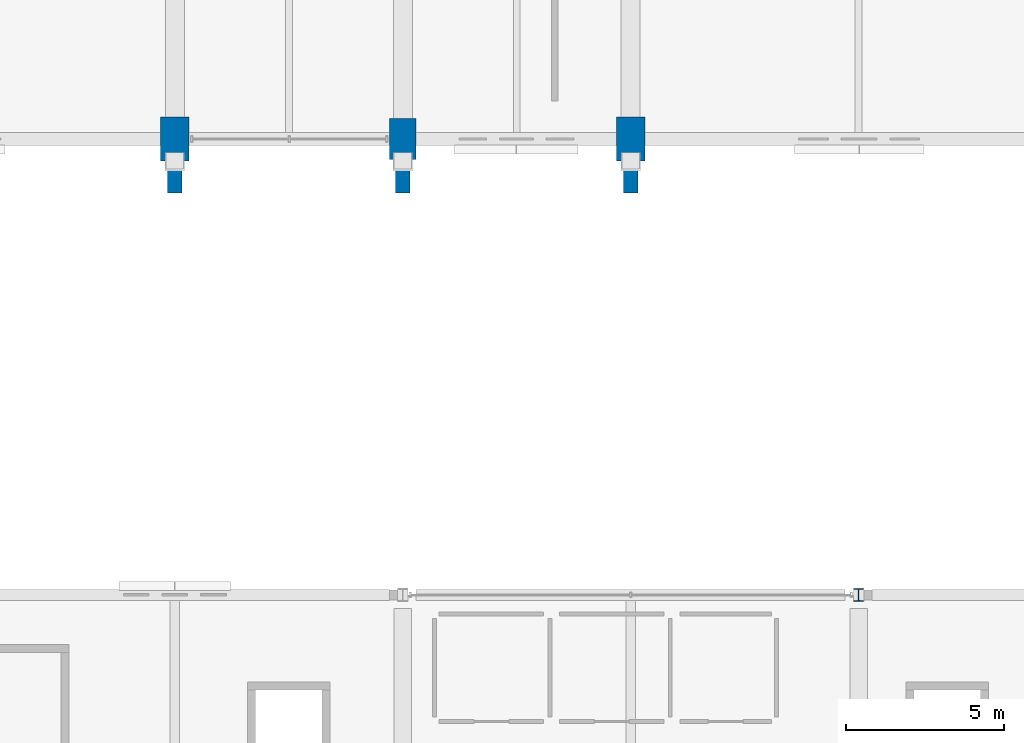
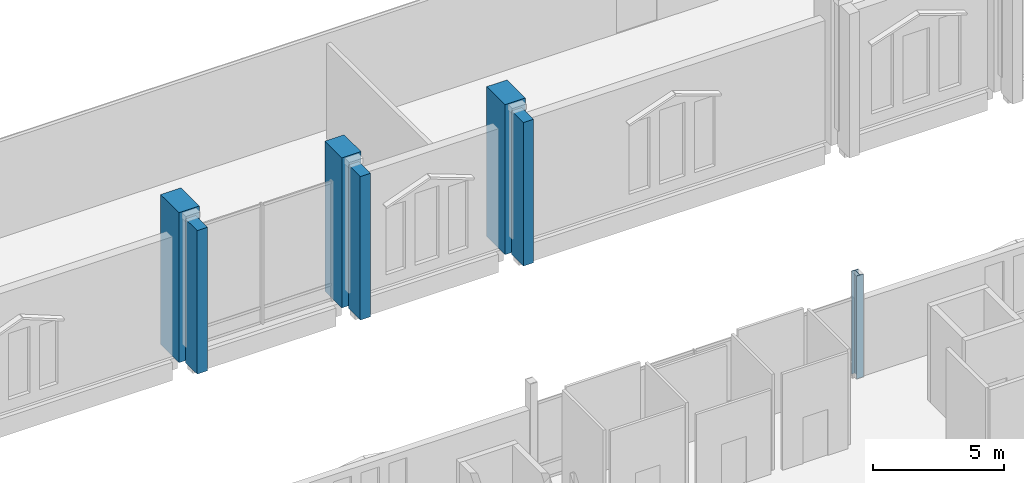
# One storey, part 4 of 220: 7 columns.
"""IFC4 building model written with IfcOpenShell, lengths in metres."""

from ifc_helpers import new_model, si_unit, direction, frame, origin, origin_2d, place, context, subcontext, project, spatial, rectangle, i_section, extrude, material, material_profile, profile_set, type_object, element, save


model = new_model("IFC4")

# Units and contexts
model_context = context("Model", 3, precision=1e-05, world=origin(), true_north=direction((0.0, 1.0)))
body_context = subcontext(model_context, "Body", "Model", "MODEL_VIEW")
ifc_project = project(units=[si_unit("LENGTHUNIT", "METRE"), si_unit("AREAUNIT", "SQUARE_METRE"), si_unit("VOLUMEUNIT", "CUBIC_METRE"), si_unit("PLANEANGLEUNIT", "RADIAN"), si_unit("MASSUNIT", "GRAM", prefix="KILO")], contexts=[model_context])

# Site, building, storey
site_placement = place(None, origin())
site = spatial("IfcSite", under=ifc_project, at=site_placement, CompositionType="ELEMENT")
building_placement = place(site_placement, origin())
building = spatial("IfcBuilding", under=site, at=building_placement, Name="Cendralis Lancet Convention Centre", CompositionType="ELEMENT")
storey_placement = place(building_placement, frame((0.0, 0.0, 5.39990234375)))
storey = spatial("IfcBuildingStorey", under=building, at=storey_placement, Name="L01", CompositionType="ELEMENT", Elevation=5.39990234375)

# Columns
ifc_material_1 = material(Name="Concrete G40 (C40/50)", Category="concrete")
ifc_material_profile_1 = material_profile(ifc_material_1, rectangle(XDim=0.89990234375, YDim=1.39990234375, at=origin_2d()), Name="RC 900x1400")
ifc_profile_set_1 = profile_set([ifc_material_profile_1], Name="Concrete G40 (C40/50)")
column_type_1 = type_object("IfcColumnType", Name="STR-COL-C13", PredefinedType="COLUMN", material=ifc_profile_set_1)
for number, where, z_axis, x_axis, name in (
    (1, (36.0, 50.39990234375, 0.0), (0.0, 0.0, 1.0), (1.0, 0.0, 0.0), "L01 Column C13 at 36.0,50.4"),
    (2, (50.39990234375, 50.39990234375, 0.0), (0.0, 0.0, 1.0), (1.0, 0.0, 0.0), "L01 Column C13 at 50.4,50.4"),
):
    element("IfcColumn", number, at=place(storey_placement, frame(where, z_axis=z_axis, x_axis=x_axis)), inside=storey, type_object=column_type_1, Name=name, PredefinedType="COLUMN", context=body_context, shape_type="SweptSolid", body=[
        extrude(rectangle(XDim=0.89990234375, YDim=1.39990234375, at=origin_2d()), origin(), (0.0, 0.0, 1.0), 7.0),
    ])
ifc_material_profile_2 = material_profile(ifc_material_1, rectangle(XDim=0.85009765625, YDim=1.300048828125, at=origin_2d()), Name="RC 850x1300")
ifc_profile_set_2 = profile_set([ifc_material_profile_2], Name="Concrete G40 (C40/50)")
column_type_2 = type_object("IfcColumnType", Name="STR-COL-C14", PredefinedType="COLUMN", material=ifc_profile_set_2)
column_1_placement = place(storey_placement, frame((43.199951171875, 50.39990234375, 0.0), z_axis=(0.0, 0.0, 1.0), x_axis=(1.0, 0.0, 0.0)))
element("IfcColumn", 3, at=column_1_placement, inside=storey, type_object=column_type_2, Name="L01 Column C14 at 43.2,50.4", PredefinedType="COLUMN", context=body_context, shape_type="SweptSolid", body=[
    extrude(rectangle(XDim=0.85009765625, YDim=1.300048828125, at=origin_2d()), origin(), (0.0, 0.0, 1.0), 7.0),
])
ifc_material_2 = material(Name="Steel S355", Category="steel")
ifc_material_profile_3 = material_profile(ifc_material_2, i_section(OverallWidth=0.300048828125, OverallDepth=0.39990234375, WebThickness=0.013427734375, FlangeThickness=0.02392578125, FilletRadius=0.027099609375, at=origin_2d()), Name="HEB 400")
ifc_profile_set_3 = profile_set([ifc_material_profile_3], Name="Steel S355")
column_type_3 = type_object("IfcColumnType", Name="STR-COL-C25", PredefinedType="COLUMN", material=ifc_profile_set_3)
column_2_placement = place(storey_placement, frame((57.60009765625, 36.0, 0.0), z_axis=(0.0, 0.0, 1.0), x_axis=(1.0, 0.0, 0.0)))
element("IfcColumn", 4, at=column_2_placement, inside=storey, type_object=column_type_3, Name="L01 Column C25 at 57.6,36.0", PredefinedType="COLUMN", context=body_context, shape_type="SweptSolid", body=[
    extrude(i_section(OverallWidth=0.300048828125, OverallDepth=0.39990234375, WebThickness=0.013427734375, FlangeThickness=0.02392578125, FilletRadius=0.027099609375, at=origin_2d()), origin(), (0.0, 0.0, 1.0), 4.800048828125),
])
ifc_material_profile_4 = material_profile(ifc_material_1, rectangle(XDim=0.449951171875, YDim=0.89990234375, at=origin_2d()), Name="RC 450x900")
ifc_profile_set_4 = profile_set([ifc_material_profile_4], Name="Concrete G40 (C40/50)")
column_type_4 = type_object("IfcColumnType", Name="STR-PIL-PL02", PredefinedType="PILASTER", material=ifc_profile_set_4)
for number, where, z_axis, x_axis, name in (
    (5, (36.0, 49.139892578125, 0.0), (0.0, 0.0, 1.0), (1.0, 0.0, 0.0), "L01 Column PL02 at 36.0,49.1"),
    (6, (43.199951171875, 49.139892578125, 0.0), (0.0, 0.0, 1.0), (1.0, 0.0, 0.0), "L01 Column PL02 at 43.2,49.1"),
    (7, (50.39990234375, 49.139892578125, 0.0), (0.0, 0.0, 1.0), (1.0, 0.0, 0.0), "L01 Column PL02 at 50.4,49.1"),
):
    element("IfcColumn", number, at=place(storey_placement, frame(where, z_axis=z_axis, x_axis=x_axis)), inside=storey, type_object=column_type_4, Name=name, PredefinedType="PILASTER", context=body_context, shape_type="SweptSolid", body=[
        extrude(rectangle(XDim=0.449951171875, YDim=0.89990234375, at=origin_2d()), origin(), (0.0, 0.0, 1.0), 6.7001953125),
    ])

save(model, "model.ifc")
